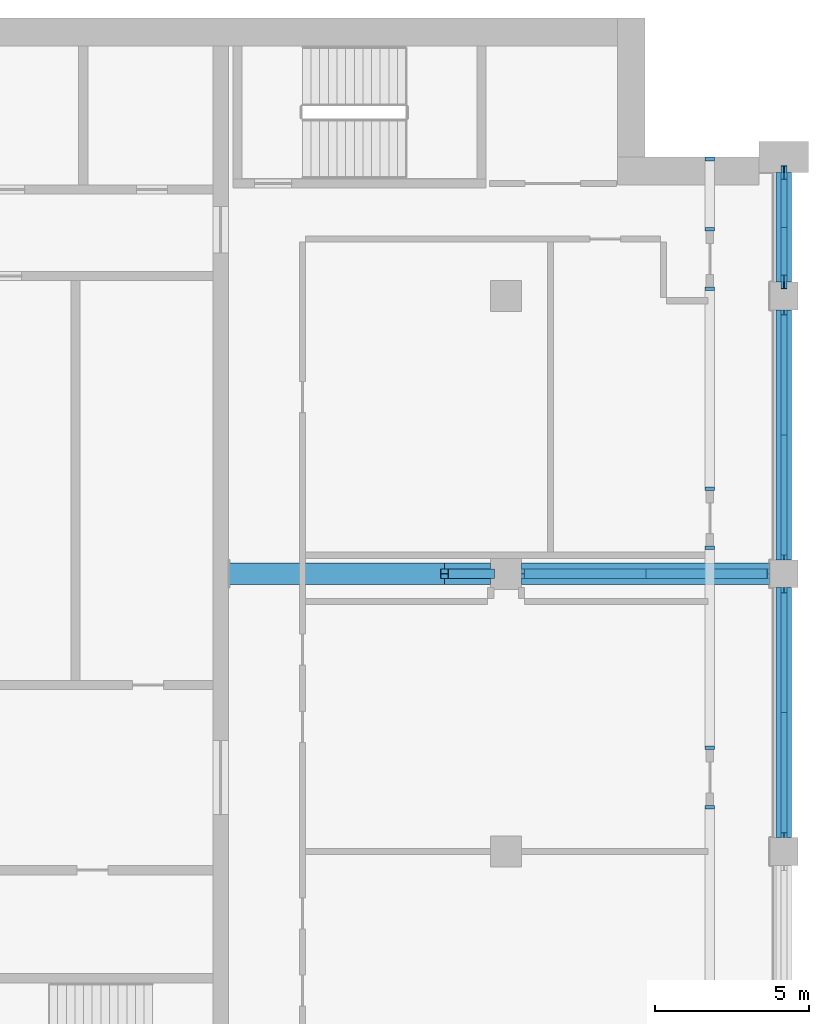
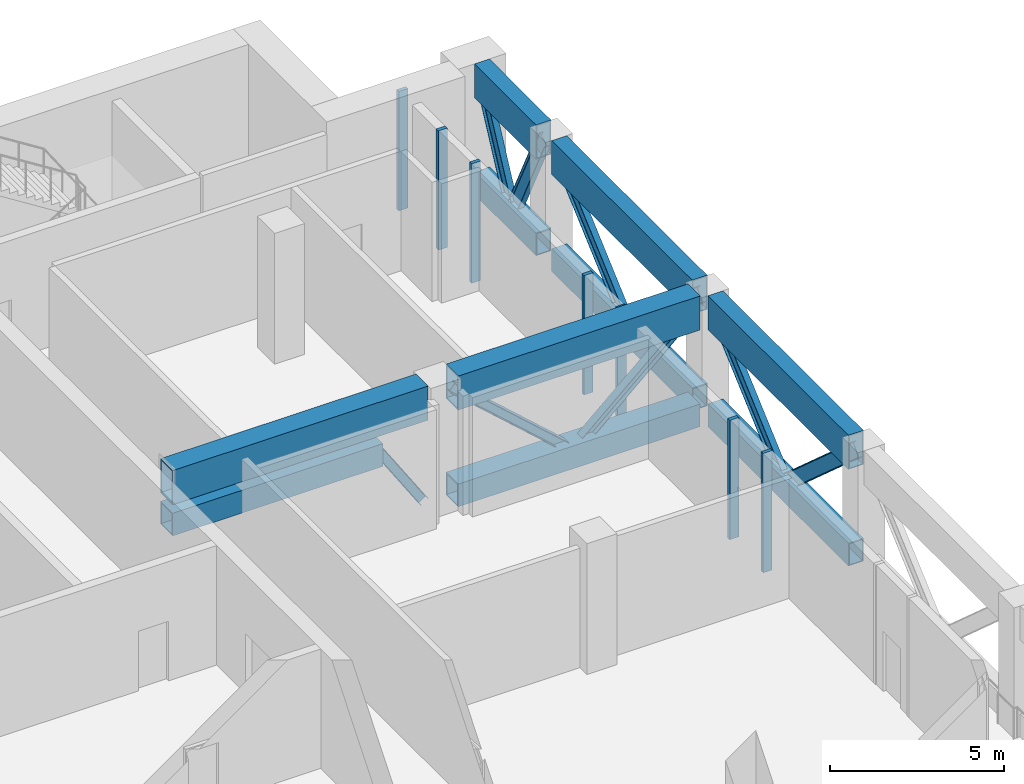
# One storey, part 3 of 18: 26 members.
"""IFC4 building model written with IfcOpenShell, lengths in metres."""

import ifcopenshell
import ifcopenshell.guid

model = None  # the IFC model being written
_history = None  # IfcOwnerHistory: only IFC2X3 demands one
_inside = {}  # id of a spatial element -> (the spatial element, [elements in it])
_under = {}  # id of a project, library or spatial element -> (it, [spatial elements below it])
_declared = {}  # id of a project -> (the project, [libraries it declares])
_typed = {}  # id of a type object -> (the type object, [elements of that type])
_made_of = {}  # id of a material, layer set ... -> (it, [elements and type objects made of it])


def new_model(schema):
    """Start an empty IFC model of exactly this schema.

    Asked for "IFC4X3", IfcOpenShell would pick the latest addendum, in which some entities
    have other attributes; the version numbers below select the first issue.
    IFC2X3 requires an IfcOwnerHistory on every rooted entity: one is made here for all.
    """
    global model, _history
    if schema == "IFC4X3":
        model = ifcopenshell.file(schema_version=(4, 3, 0, 0))
    else:
        model = ifcopenshell.file(schema=schema)
    _inside.clear()
    _under.clear()
    _declared.clear()
    _typed.clear()
    _made_of.clear()
    _history = None
    if model.schema == "IFC2X3":
        org = make("IfcOrganization", Name="unknown")
        user = make(
            "IfcPersonAndOrganization",
            ThePerson=make("IfcPerson", FamilyName="unknown"),
            TheOrganization=org,
        )
        app = make(
            "IfcApplication",
            ApplicationDeveloper=org,
            Version="unknown",
            ApplicationFullName="unknown",
            ApplicationIdentifier="unknown",
        )
        _history = make(
            "IfcOwnerHistory",
            OwningUser=user,
            OwningApplication=app,
            ChangeAction="ADDED",
            CreationDate=0,
        )
    return model


def make(cls, **values):
    """One entity of the class cls with the attributes given. An attribute that is None is left unset."""
    return model.create_entity(
        cls, **{name: value for name, value in values.items() if value is not None}
    )


def rooted(cls, **values):
    """An entity with a GlobalId (a new one), such as an element, a storey or a relation."""
    return make(cls, GlobalId=ifcopenshell.guid.new(), OwnerHistory=_history, **values)


def si_unit(unit_type, name, prefix=None):
    """IfcSIUnit, for example si_unit("LENGTHUNIT", "METRE", prefix="MILLI")."""
    return make("IfcSIUnit", UnitType=unit_type, Prefix=prefix, Name=name)


def assignment(units):
    """IfcUnitAssignment: the units of a project."""
    return None if units is None else make("IfcUnitAssignment", Units=units)


def point(xyz):
    """IfcCartesianPoint."""
    return None if xyz is None else make("IfcCartesianPoint", Coordinates=xyz)


def direction(xyz):
    """IfcDirection."""
    return None if xyz is None else make("IfcDirection", DirectionRatios=xyz)


def frame(location, z_axis=None, x_axis=None):
    """IfcAxis2Placement3D, a coordinate frame: its origin and axes. An axis left out is left unset."""
    return make(
        "IfcAxis2Placement3D",
        Location=point(location),
        Axis=direction(z_axis),
        RefDirection=direction(x_axis),
    )


def frame_2d(location, x_axis=None):
    """IfcAxis2Placement2D, a coordinate frame in the plane: its origin and x axis."""
    return make(
        "IfcAxis2Placement2D", Location=point(location), RefDirection=direction(x_axis)
    )


def origin():
    """The frame at (0, 0, 0) with its axes left unset."""
    return frame((0.0, 0.0, 0.0))


def origin_2d():
    """The frame at (0, 0) in the plane with its x axis left unset."""
    return frame_2d((0.0, 0.0))


def place(relative_to, where):
    """IfcLocalPlacement: puts the frame where relative to a parent placement (None: the world)."""
    return make(
        "IfcLocalPlacement", PlacementRelTo=relative_to, RelativePlacement=where
    )


def context(
    kind, dimensions, precision=None, world=None, true_north=None, identifier=None
):
    """IfcGeometricRepresentationContext, for example the 3D "Model" context."""
    return make(
        "IfcGeometricRepresentationContext",
        ContextIdentifier=identifier,
        ContextType=kind,
        CoordinateSpaceDimension=dimensions,
        Precision=precision,
        WorldCoordinateSystem=world,
        TrueNorth=true_north,
    )


def subcontext(parent, identifier, kind, view, scale=None):
    """IfcGeometricRepresentationSubContext, for example "Body" below "Model"."""
    return make(
        "IfcGeometricRepresentationSubContext",
        ContextIdentifier=identifier,
        ContextType=kind,
        ParentContext=parent,
        TargetScale=scale,
        TargetView=view,
    )


def project(units=None, contexts=None):
    """IfcProject with its units and contexts."""
    return rooted(
        "IfcProject",
        Name="project",
        RepresentationContexts=contexts,
        UnitsInContext=assignment(units),
    )


def spatial(cls, under=None, at=None, **own):
    """A site, building, storey or space (cls), placed at a placement, below another one or the project."""
    s = rooted(cls, ObjectPlacement=at, **own)
    if under is not None:
        _under.setdefault(under.id(), (under, []))[1].append(s)
    return s


def profile(cls, at=None, kind="AREA", **sizes):
    """A parametric profile (cls). Its sizes go by their IFC names, for example OverallWidth=200.0."""
    return make(cls, ProfileType=kind, Position=at, **sizes)


def rectangle(**sizes):
    """IfcRectangleProfileDef."""
    return profile("IfcRectangleProfileDef", **sizes)


def hollow_rectangle(**sizes):
    """IfcRectangleHollowProfileDef."""
    return profile("IfcRectangleHollowProfileDef", **sizes)


def i_section(**sizes):
    """IfcIShapeProfileDef."""
    return profile("IfcIShapeProfileDef", **sizes)


def extrude(swept, where, along, depth):
    """IfcExtrudedAreaSolid: the profile swept, set in the frame where, extruded along a direction by depth."""
    return make(
        "IfcExtrudedAreaSolid",
        SweptArea=swept,
        Position=where,
        ExtrudedDirection=direction(along),
        Depth=depth,
    )


def shape(context_of_items, identifier, shape_type, items):
    """IfcShapeRepresentation: the items that make up one representation, for example the "Body"."""
    return make(
        "IfcShapeRepresentation",
        ContextOfItems=context_of_items,
        RepresentationIdentifier=identifier,
        RepresentationType=shape_type,
        Items=items,
    )


def material(Name=None, Category=None):
    """IfcMaterial."""
    return make("IfcMaterial", Name=Name, Category=Category)


def material_profile(
    of_material, cross_section, Name=None, Category=None, Priority=None
):
    """IfcMaterialProfile: a cross section and its material."""
    return make(
        "IfcMaterialProfile",
        Name=Name,
        Material=of_material,
        Profile=cross_section,
        Priority=Priority,
        Category=Category,
    )


def profile_set(profiles, Name=None, composite=None):
    """IfcMaterialProfileSet."""
    return make(
        "IfcMaterialProfileSet",
        Name=Name,
        MaterialProfiles=profiles,
        CompositeProfile=composite,
    )


def made_of(thing, what):
    """Note that an element or type object is made of a material, layer set ...; save() writes the relation."""
    if what is not None:
        _made_of.setdefault(what.id(), (what, []))[1].append(thing)
    return thing


def type_object(cls, material=None, **own):
    """A type object (cls), such as IfcWallType, which elements share."""
    return made_of(rooted(cls, **own), material)


def element(
    cls,
    number,
    at=None,
    inside=None,
    cuts=None,
    type_object=None,
    material=None,
    context=None,
    identifier="Body",
    shape_type=None,
    held_by="IfcProductDefinitionShape",
    body=None,
    shapes=None,
    **own,
):
    """One element of the class cls, such as IfcWall. Its Tag is "e" and its number.

    at: its placement. inside: the storey or other place that contains it. cuts: it is an
    opening in that element (IfcRelVoidsElement). A single representation is given by context,
    identifier, shape_type and body (its items); several are given by shapes. held_by: the class
    of the entity that holds the representations. save() writes the other relations.
    """
    e = rooted(cls, Tag="e%d" % number, ObjectPlacement=at, **own)
    if body is not None:
        shapes = [shape(context, identifier, shape_type, body)]
    if shapes is not None:
        e.Representation = make(held_by, Representations=shapes)
    if inside is not None:
        _inside.setdefault(inside.id(), (inside, []))[1].append(e)
    if cuts is not None:
        rooted(
            "IfcRelVoidsElement", RelatingBuildingElement=cuts, RelatedOpeningElement=e
        )
    if type_object is not None:
        _typed.setdefault(type_object.id(), (type_object, []))[1].append(e)
    return made_of(e, material)


def aggregate(whole, parts):
    """IfcRelAggregates: a whole, such as a stair, and the parts it consists of."""
    return rooted("IfcRelAggregates", RelatingObject=whole, RelatedObjects=parts)


def save(model, path):
    """Write the relations noted so far, then the file.

    IfcRelAggregates (storeys below a building ...), IfcRelContainedInSpatialStructure (elements
    in a storey), IfcRelDefinesByType, IfcRelAssociatesMaterial and IfcRelDeclares: one each for
    every whole, place, type object, material and project.
    """
    for whole, parts in _under.values():
        aggregate(whole, parts)
    for where, things in _inside.values():
        rooted(
            "IfcRelContainedInSpatialStructure",
            RelatedElements=things,
            RelatingStructure=where,
        )
    for kind, things in _typed.values():
        rooted("IfcRelDefinesByType", RelatedObjects=things, RelatingType=kind)
    for what, things in _made_of.values():
        rooted("IfcRelAssociatesMaterial", RelatedObjects=things, RelatingMaterial=what)
    for by, libraries in _declared.values():
        rooted("IfcRelDeclares", RelatingContext=by, RelatedDefinitions=libraries)
    model.write(path)


model = new_model("IFC4")

# Units and contexts
model_context = context("Model", 3, precision=1e-05, world=origin(), true_north=direction((0.0, 1.0)))
body_context = subcontext(model_context, "Body", "Model", "MODEL_VIEW")
ifc_project = project(units=[si_unit("LENGTHUNIT", "METRE"), si_unit("AREAUNIT", "SQUARE_METRE"), si_unit("VOLUMEUNIT", "CUBIC_METRE"), si_unit("PLANEANGLEUNIT", "RADIAN"), si_unit("MASSUNIT", "GRAM", prefix="KILO")], contexts=[model_context])

# Site, building, storey
site_placement = place(None, origin())
site = spatial("IfcSite", under=ifc_project, at=site_placement, CompositionType="ELEMENT")
building_placement = place(site_placement, origin())
building = spatial("IfcBuilding", under=site, at=building_placement, Name="Hunhe Ridgeline Campus", CompositionType="ELEMENT")
storey_placement = place(building_placement, frame((0.0, 0.0, 276.199951171875)))
storey = spatial("IfcBuildingStorey", under=building, at=storey_placement, Name="L71", CompositionType="ELEMENT", Elevation=276.199951171875)

# Members
ifc_material_1 = material(Name="Steel Q420", Category="steel")
ifc_material_profile_1 = material_profile(ifc_material_1, hollow_rectangle(XDim=0.5, YDim=0.800048828125, WallThickness=0.031982421875, at=origin_2d()))
ifc_profile_set_1 = profile_set([ifc_material_profile_1], Name="Steel Q420")
member_type_1 = type_object("IfcMemberType", Name="Belt truss bottom chord Box 800x500x32 Steel Q420", PredefinedType="CHORD", material=ifc_profile_set_1)
for number, where, z_axis, x_axis, name in (
    (1, (54.0, 72.449951171875, 0.400146484375), (0.0, 1.0, 0.0), (-1.0, 0.0, 0.0), "Belt truss BT1 bottom chord L71 56"),
    (2, (54.0, 81.449951171875, 0.400146484375), (0.0, 1.0, 0.0), (-1.0, 0.0, 0.0), "Belt truss BT1 bottom chord L71 60"),
):
    element("IfcMember", number, at=place(storey_placement, frame(where, z_axis=z_axis, x_axis=x_axis)), inside=storey, type_object=member_type_1, Name=name, PredefinedType="CHORD", context=body_context, shape_type="SweptSolid", body=[
        extrude(hollow_rectangle(XDim=0.5, YDim=0.800048828125, WallThickness=0.031982421875, at=origin_2d()), origin(), (0.0, 0.0, 1.0), 8.10009765625),
    ])
member_1_placement = place(storey_placement, frame((54.0, 90.449951171875, 0.400146484375), z_axis=(0.0, 1.0, 0.0), x_axis=(-1.0, 0.0, 0.0)))
element("IfcMember", 3, at=member_1_placement, inside=storey, type_object=member_type_1, Name="Belt truss BT1 bottom chord L71 64", PredefinedType="CHORD", context=body_context, shape_type="SweptSolid", body=[
    extrude(hollow_rectangle(XDim=0.5, YDim=0.800048828125, WallThickness=0.031982421875, at=origin_2d()), origin(), (0.0, 0.0, 1.0), 3.550048828125),
])
ifc_material_profile_2 = material_profile(ifc_material_1, i_section(OverallWidth=0.199951171875, OverallDepth=0.5, WebThickness=0.010009765625, FlangeThickness=0.01611328125, FilletRadius=0.02001953125, at=origin_2d()))
ifc_profile_set_2 = profile_set([ifc_material_profile_2], Name="Steel Q420")
member_type_2 = type_object("IfcMemberType", Name="Belt truss diagonal HN500x200x10x16 Steel Q420", PredefinedType="BRACE", material=ifc_profile_set_2)
for number, where, z_axis, x_axis, name in (
    (4, (54.0, 72.449951171875, 4.0), (0.0, 0.747426719196, -0.664344262737), (-1.0, 0.0, 0.0), "Belt truss BT1 diagonal L71 57"),
    (5, (54.0, 76.5, 0.400146484375), (0.0, 0.747426719196, 0.664344262737), (-1.0, 0.0, 0.0), "Belt truss BT1 diagonal L71 58"),
    (6, (54.0, 81.449951171875, 4.0), (0.0, 0.747426719196, -0.664344262737), (-1.0, 0.0, 0.0), "Belt truss BT1 diagonal L71 61"),
    (7, (54.0, 85.5, 0.400146484375), (0.0, 0.747426719196, 0.664344262737), (-1.0, 0.0, 0.0), "Belt truss BT1 diagonal L71 62"),
):
    element("IfcMember", number, at=place(storey_placement, frame(where, z_axis=z_axis, x_axis=x_axis)), inside=storey, type_object=member_type_2, Name=name, PredefinedType="BRACE", context=body_context, shape_type="SweptSolid", body=[
        extrude(i_section(OverallWidth=0.199951171875, OverallDepth=0.5, WebThickness=0.010009765625, FlangeThickness=0.01611328125, FilletRadius=0.02001953125, at=origin_2d()), origin(), (0.0, 0.0, 1.0), 5.418701171875),
    ])
for number, where, z_axis, x_axis, name in (
    (8, (54.0, 90.449951171875, 4.0), (0.0, 0.442267685203, -0.896883099755), (-1.0, 0.0, 0.0), "Belt truss BT1 diagonal L71 65"),
    (9, (54.0, 92.22509765625, 0.400146484375), (0.0, 0.442218754633, 0.896907226557), (-1.0, 0.0, 0.0), "Belt truss BT1 diagonal L71 66"),
):
    element("IfcMember", number, at=place(storey_placement, frame(where, z_axis=z_axis, x_axis=x_axis)), inside=storey, type_object=member_type_2, Name=name, PredefinedType="BRACE", context=body_context, shape_type="SweptSolid", body=[
        extrude(i_section(OverallWidth=0.199951171875, OverallDepth=0.5, WebThickness=0.010009765625, FlangeThickness=0.01611328125, FilletRadius=0.02001953125, at=origin_2d()), origin(), (0.0, 0.0, 1.0), 4.013671875),
    ])
ifc_material_profile_3 = material_profile(ifc_material_1, hollow_rectangle(XDim=0.5, YDim=1.199951171875, WallThickness=0.031982421875, at=origin_2d()))
ifc_profile_set_3 = profile_set([ifc_material_profile_3], Name="Steel Q420")
member_type_3 = type_object("IfcMemberType", Name="Belt truss top chord Box 1200x500x32 Steel Q420", PredefinedType="CHORD", material=ifc_profile_set_3)
for number, where, z_axis, x_axis, name in (
    (10, (54.0, 72.449951171875, 4.0), (0.0, 1.0, 0.0), (-1.0, 0.0, 0.0), "Belt truss BT1 top chord L71 55"),
    (11, (54.0, 81.449951171875, 4.0), (0.0, 1.0, 0.0), (-1.0, 0.0, 0.0), "Belt truss BT1 top chord L71 59"),
):
    element("IfcMember", number, at=place(storey_placement, frame(where, z_axis=z_axis, x_axis=x_axis)), inside=storey, type_object=member_type_3, Name=name, PredefinedType="CHORD", context=body_context, shape_type="SweptSolid", body=[
        extrude(hollow_rectangle(XDim=0.5, YDim=1.199951171875, WallThickness=0.031982421875, at=origin_2d()), origin(), (0.0, 0.0, 1.0), 8.10009765625),
    ])
member_2_placement = place(storey_placement, frame((54.0, 90.449951171875, 4.0), z_axis=(0.0, 1.0, 0.0), x_axis=(-1.0, 0.0, 0.0)))
element("IfcMember", 12, at=member_2_placement, inside=storey, type_object=member_type_3, Name="Belt truss BT1 top chord L71 63", PredefinedType="CHORD", context=body_context, shape_type="SweptSolid", body=[
    extrude(hollow_rectangle(XDim=0.5, YDim=1.199951171875, WallThickness=0.031982421875, at=origin_2d()), origin(), (0.0, 0.0, 1.0), 3.550048828125),
])
ifc_material_2 = material(Name="Aluminium 6063", Category="aluminium")
ifc_material_profile_4 = material_profile(ifc_material_2, rectangle(XDim=0.300048828125, YDim=0.1201171875, at=origin_2d()))
ifc_profile_set_4 = profile_set([ifc_material_profile_4], Name="Aluminium 6063")
member_type_4 = type_object("IfcMemberType", Name="Louvre frame jamb 120x300 Aluminium 6063", PredefinedType="USERDEFINED", material=ifc_profile_set_4)
for number, where, z_axis, x_axis, name in (
    (13, (51.59912109375, 73.440673828125, 0.0), (0.0, 0.0, 1.0), (-1.0, 0.0, 0.0), "Louvre frame jamb 16b"),
    (14, (51.59912109375, 75.360595703125, 0.0), (0.0, 0.0, 1.0), (-1.0, 0.0, 0.0), "Louvre frame jamb 17a"),
    (15, (51.59912109375, 81.84033203125, 0.0), (0.0, 0.0, 1.0), (-1.0, 0.0, 0.0), "Louvre frame jamb 17b"),
    (16, (51.59912109375, 83.76025390625, 0.0), (0.0, 0.0, 1.0), (-1.0, 0.0, 0.0), "Louvre frame jamb 18a"),
    (17, (51.59912109375, 90.240234375, 0.0), (0.0, 0.0, 1.0), (-1.0, 0.0, 0.0), "Louvre frame jamb 18b"),
    (18, (51.59912109375, 92.16015625, 0.0), (0.0, 0.0, 1.0), (-1.0, 0.0, 0.0), "Louvre frame jamb 19a"),
    (19, (51.59912109375, 94.43994140625, 0.0), (0.0, 0.0, 1.0), (-1.0, 0.0, 0.0), "Louvre frame jamb 19b"),
):
    element("IfcMember", number, at=place(storey_placement, frame(where, z_axis=z_axis, x_axis=x_axis)), inside=storey, type_object=member_type_4, Name=name, ObjectType="LOUVRE FRAME", PredefinedType="USERDEFINED", context=body_context, shape_type="SweptSolid", body=[
        extrude(rectangle(XDim=0.300048828125, YDim=0.1201171875, at=origin_2d()), origin(), (0.0, 0.0, 1.0), 4.199951171875),
    ])
ifc_material_profile_5 = material_profile(ifc_material_1, hollow_rectangle(XDim=0.699951171875, YDim=0.800048828125, WallThickness=0.0400390625, at=origin_2d()))
ifc_profile_set_5 = profile_set([ifc_material_profile_5], Name="Steel Q420")
member_type_5 = type_object("IfcMemberType", Name="Outrigger truss bottom chord Box 800x700x40 Steel Q420", PredefinedType="CHORD", material=ifc_profile_set_5)
member_3_placement = place(storey_placement, frame((36.0, 81.0, 2.699951171875), z_axis=(1.0, 0.0, 0.0), x_axis=(0.0, 1.0, 0.0)))
element("IfcMember", 20, at=member_3_placement, inside=storey, type_object=member_type_5, Name="Outrigger truss OR1 bottom chord L71 2", PredefinedType="CHORD", context=body_context, shape_type="SweptSolid", body=[
    extrude(hollow_rectangle(XDim=0.699951171875, YDim=0.800048828125, WallThickness=0.0400390625, at=origin_2d()), origin(), (0.0, 0.0, 1.0), 7.0),
])
member_4_placement = place(storey_placement, frame((45.5, 81.0, 0.400146484375), z_axis=(1.0, 0.0, 0.0), x_axis=(0.0, 1.0, 0.0)))
element("IfcMember", 21, at=member_4_placement, inside=storey, type_object=member_type_5, Name="Outrigger truss OR1 bottom chord L71 5", PredefinedType="CHORD", context=body_context, shape_type="SweptSolid", body=[
    extrude(hollow_rectangle(XDim=0.699951171875, YDim=0.800048828125, WallThickness=0.0400390625, at=origin_2d()), origin(), (0.0, 0.0, 1.0), 8.050048828125),
])
ifc_material_profile_6 = material_profile(ifc_material_1, i_section(OverallWidth=0.300048828125, OverallDepth=0.300048828125, WebThickness=0.010009765625, FlangeThickness=0.014892578125, FilletRadius=0.012939453125, at=origin_2d()))
ifc_profile_set_6 = profile_set([ifc_material_profile_6], Name="Steel Q420")
member_type_6 = type_object("IfcMemberType", Name="Outrigger truss diagonal HW300x300x10x15 Steel Q420", PredefinedType="BRACE", material=ifc_profile_set_6)
member_5_placement = place(storey_placement, frame((43.0, 81.0, 2.699951171875), z_axis=(0.546300327661, 0.0, -0.837589369558), x_axis=(0.0, 1.0, 0.0)))
element("IfcMember", 22, at=member_5_placement, inside=storey, type_object=member_type_6, Name="Outrigger truss OR1 knee brace L71 3", PredefinedType="BRACE", context=body_context, shape_type="SweptSolid", body=[
    extrude(i_section(OverallWidth=0.300048828125, OverallDepth=0.300048828125, WebThickness=0.010009765625, FlangeThickness=0.014892578125, FilletRadius=0.012939453125, at=origin_2d()), origin(), (0.0, 0.0, 1.0), 2.745849609375),
])
member_6_placement = place(storey_placement, frame((45.5, 81.0, 4.0), z_axis=(0.745367824626, 0.0, -0.666653437711), x_axis=(0.0, 1.0, 0.0)))
element("IfcMember", 23, at=member_6_placement, inside=storey, type_object=member_type_6, Name="Outrigger truss OR1 diagonal L71 6", PredefinedType="BRACE", context=body_context, shape_type="SweptSolid", body=[
    extrude(i_section(OverallWidth=0.300048828125, OverallDepth=0.300048828125, WebThickness=0.010009765625, FlangeThickness=0.014892578125, FilletRadius=0.012939453125, at=origin_2d()), origin(), (0.0, 0.0, 1.0), 5.39990234375),
])
member_7_placement = place(storey_placement, frame((49.52490234375, 81.0, 0.400146484375), z_axis=(0.74538791711, 0.0, 0.666630972147), x_axis=(0.0, 1.0, 0.0)))
element("IfcMember", 24, at=member_7_placement, inside=storey, type_object=member_type_6, Name="Outrigger truss OR1 diagonal L71 7", PredefinedType="BRACE", context=body_context, shape_type="SweptSolid", body=[
    extrude(i_section(OverallWidth=0.300048828125, OverallDepth=0.300048828125, WebThickness=0.010009765625, FlangeThickness=0.014892578125, FilletRadius=0.012939453125, at=origin_2d()), origin(), (0.0, 0.0, 1.0), 5.400146484375),
])
ifc_material_profile_7 = material_profile(ifc_material_1, hollow_rectangle(XDim=0.699951171875, YDim=1.199951171875, WallThickness=0.0400390625, at=origin_2d()))
ifc_profile_set_7 = profile_set([ifc_material_profile_7], Name="Steel Q420")
member_type_7 = type_object("IfcMemberType", Name="Outrigger truss top chord Box 1200x700x40 Steel Q420", PredefinedType="CHORD", material=ifc_profile_set_7)
member_8_placement = place(storey_placement, frame((36.0, 81.0, 4.0), z_axis=(1.0, 0.0, 0.0), x_axis=(0.0, 1.0, 0.0)))
element("IfcMember", 25, at=member_8_placement, inside=storey, type_object=member_type_7, Name="Outrigger truss OR1 top chord L71 1", PredefinedType="CHORD", context=body_context, shape_type="SweptSolid", body=[
    extrude(hollow_rectangle(XDim=0.699951171875, YDim=1.199951171875, WallThickness=0.0400390625, at=origin_2d()), origin(), (0.0, 0.0, 1.0), 8.5),
])
member_9_placement = place(storey_placement, frame((45.5, 81.0, 4.0), z_axis=(1.0, 0.0, 0.0), x_axis=(0.0, 1.0, 0.0)))
element("IfcMember", 26, at=member_9_placement, inside=storey, type_object=member_type_7, Name="Outrigger truss OR1 top chord L71 4", PredefinedType="CHORD", context=body_context, shape_type="SweptSolid", body=[
    extrude(hollow_rectangle(XDim=0.699951171875, YDim=1.199951171875, WallThickness=0.0400390625, at=origin_2d()), origin(), (0.0, 0.0, 1.0), 8.050048828125),
])

save(model, "model.ifc")
